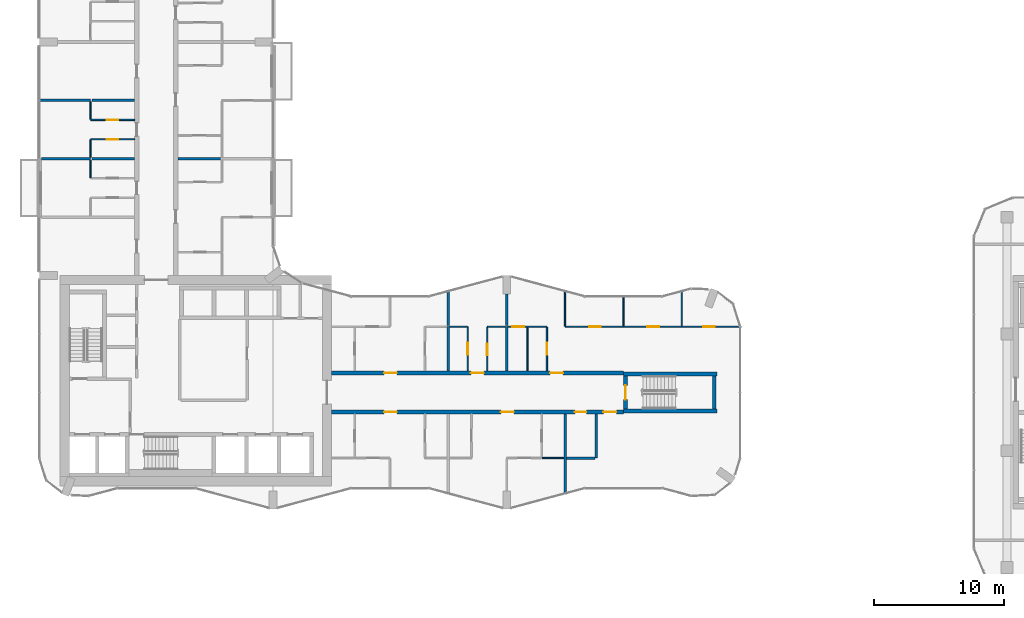
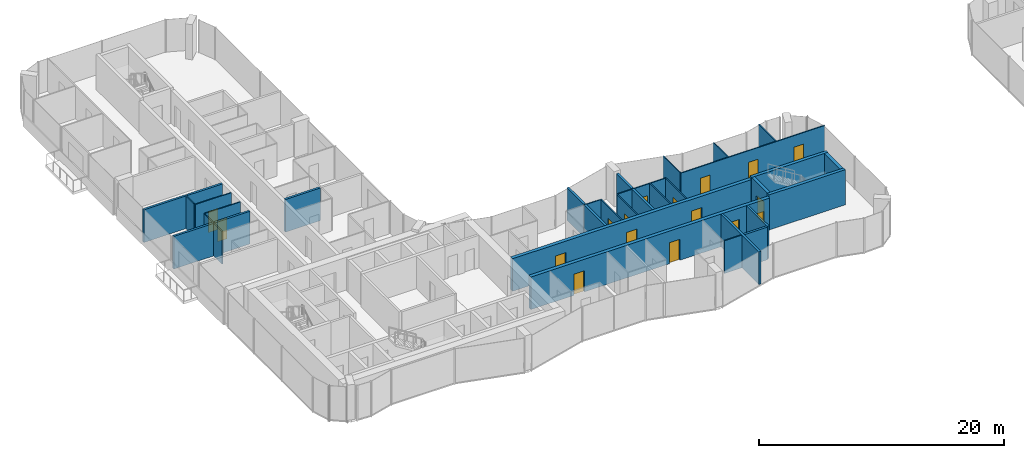
# One storey, part 15 of 23: 35 walls, 17 doors, 17 openings.
"""IFC4 building model written with IfcOpenShell, lengths in metres."""

from ifc_helpers import new_model, si_unit, direction, frame, frame_2d, origin, place, context, subcontext, project, spatial, rectangle, extrude, material, layer, layer_set, type_object, element, fill, save


model = new_model("IFC4")

# Units and contexts
model_context = context("Model", 3, precision=1e-05, world=origin(), true_north=direction((0.0, 1.0)))
body_context = subcontext(model_context, "Body", "Model", "MODEL_VIEW")
ifc_project = project(units=[si_unit("LENGTHUNIT", "METRE"), si_unit("AREAUNIT", "SQUARE_METRE"), si_unit("VOLUMEUNIT", "CUBIC_METRE"), si_unit("PLANEANGLEUNIT", "RADIAN"), si_unit("MASSUNIT", "GRAM", prefix="KILO")], contexts=[model_context])

# Site, building, storey
site_placement = place(None, origin())
site = spatial("IfcSite", under=ifc_project, at=site_placement, CompositionType="ELEMENT")
building_placement = place(site_placement, origin())
building = spatial("IfcBuilding", under=site, at=building_placement, Name="Plateau Cross Towers", CompositionType="ELEMENT")
storey_placement = place(building_placement, frame((0.0, 0.0, 81.800048828125)))
storey = spatial("IfcBuildingStorey", under=building, at=storey_placement, Name="L20", CompositionType="ELEMENT", Elevation=81.800048828125)

# Wall, openings, doors
ifc_material_1 = material(Name="Concrete C60/75", Category="concrete")
ifc_layer_1 = layer(ifc_material_1, 0.324951171875)
ifc_layer_set_1 = layer_set([ifc_layer_1], Name="Concrete C60/75")
wall_type_1 = type_object("IfcWallType", Name="Corridor wall 325", PredefinedType="SHEAR", material=ifc_layer_set_1)
wall_1_placement = place(storey_placement, frame((22.5, 7.5, 0.0), z_axis=(0.0, 0.0, 1.0), x_axis=(1.0, 0.0, 0.0)))
wall_1 = element("IfcWall", 1, at=wall_1_placement, inside=storey, type_object=wall_type_1, Name="A-cw-S1@L20", PredefinedType="SHEAR", context=body_context, shape_type="SweptSolid", body=[
    extrude(rectangle(XDim=22.5, YDim=0.324951171875, at=frame_2d((11.25, 0.0))), origin(), (0.0, 0.0, 1.0), 3.25),
])
opening_1_placement = place(wall_1_placement, frame((4.050048828125, 0.0, 0.0)))
opening_1 = element("IfcOpeningElement", 2, at=opening_1_placement, cuts=wall_1, Name="Opening 20-01", PredefinedType="OPENING", context=body_context, shape_type="SweptSolid", body=[
    extrude(rectangle(XDim=1.0, YDim=2.10009765625, at=frame_2d((0.5, 1.050048828125))), frame((0.0, 0.17236328125, 0.0), z_axis=(0.0, -1.0, 0.0), x_axis=(1.0, 0.0, 0.0)), (0.0, 0.0, 1.0), 0.344970703125),
])
opening_2_placement = place(wall_1_placement, frame((13.050048828125, 0.0, 0.0)))
opening_2 = element("IfcOpeningElement", 3, at=opening_2_placement, cuts=wall_1, Name="Opening 20-02", PredefinedType="OPENING", context=body_context, shape_type="SweptSolid", body=[
    extrude(rectangle(XDim=1.0, YDim=2.10009765625, at=frame_2d((0.5, 1.050048828125))), frame((0.0, 0.17236328125, 0.0), z_axis=(0.0, -1.0, 0.0), x_axis=(1.0, 0.0, 0.0)), (0.0, 0.0, 1.0), 0.344970703125),
])
opening_3_placement = place(wall_1_placement, frame((18.75, 0.0, 0.0)))
opening_3 = element("IfcOpeningElement", 4, at=opening_3_placement, cuts=wall_1, Name="Opening 20-03", PredefinedType="OPENING", context=body_context, shape_type="SweptSolid", body=[
    extrude(rectangle(XDim=0.89990234375, YDim=2.10009765625, at=frame_2d((0.449951171875, 1.050048828125))), frame((0.0, 0.17236328125, 0.0), z_axis=(0.0, -1.0, 0.0), x_axis=(1.0, 0.0, 0.0)), (0.0, 0.0, 1.0), 0.344970703125),
])
opening_4_placement = place(wall_1_placement, frame((20.949951171875, 0.0, 0.0)))
opening_4 = element("IfcOpeningElement", 5, at=opening_4_placement, cuts=wall_1, Name="Opening 20-04", PredefinedType="OPENING", context=body_context, shape_type="SweptSolid", body=[
    extrude(rectangle(XDim=1.0, YDim=2.10009765625, at=frame_2d((0.5, 1.050048828125))), frame((0.0, 0.17236328125, 0.0), z_axis=(0.0, -1.0, 0.0), x_axis=(1.0, 0.0, 0.0)), (0.0, 0.0, 1.0), 0.344970703125),
])
ifc_material_2 = material(Name="Timber, fire-resisting leaf", Category="wood")
door_type_1 = type_object("IfcDoorType", Name="Flat entrance door 1000", OperationType="NOTDEFINED", PredefinedType="DOOR", material=ifc_material_2)
door_1_placement = place(opening_1_placement, origin())
door_1 = element("IfcDoor", 6, at=door_1_placement, inside=storey, type_object=door_type_1, Name="Door 20-01", OperationType="SINGLE_SWING_LEFT", OverallHeight=2.10009765625, OverallWidth=1.0, PredefinedType="DOOR", context=body_context, shape_type="SweptSolid", body=[
    extrude(rectangle(XDim=1.0, YDim=2.10009765625, at=frame_2d((0.5, 1.050048828125))), frame((0.0, 0.02490234375, 0.0), z_axis=(0.0, -1.0, 0.0), x_axis=(1.0, 0.0, 0.0)), (0.0, 0.0, 1.0), 0.050048828125),
])
fill(opening_1, door_1)
door_2_placement = place(opening_2_placement, origin())
door_2 = element("IfcDoor", 7, at=door_2_placement, inside=storey, type_object=door_type_1, Name="Door 20-02", OperationType="SINGLE_SWING_RIGHT", OverallHeight=2.10009765625, OverallWidth=1.0, PredefinedType="DOOR", context=body_context, shape_type="SweptSolid", body=[
    extrude(rectangle(XDim=1.0, YDim=2.10009765625, at=frame_2d((0.5, 1.050048828125))), frame((0.0, 0.02490234375, 0.0), z_axis=(0.0, -1.0, 0.0), x_axis=(1.0, 0.0, 0.0)), (0.0, 0.0, 1.0), 0.050048828125),
])
fill(opening_2, door_2)
door_3_placement = place(opening_4_placement, origin())
door_3 = element("IfcDoor", 8, at=door_3_placement, inside=storey, type_object=door_type_1, Name="Door 20-04", OperationType="SINGLE_SWING_RIGHT", OverallHeight=2.10009765625, OverallWidth=1.0, PredefinedType="DOOR", context=body_context, shape_type="SweptSolid", body=[
    extrude(rectangle(XDim=1.0, YDim=2.10009765625, at=frame_2d((0.5, 1.050048828125))), frame((0.0, 0.02490234375, 0.0), z_axis=(0.0, -1.0, 0.0), x_axis=(1.0, 0.0, 0.0)), (0.0, 0.0, 1.0), 0.050048828125),
])
fill(opening_4, door_3)
door_type_2 = type_object("IfcDoorType", Name="Flat floor service door 900", OperationType="NOTDEFINED", PredefinedType="DOOR", material=ifc_material_2)
door_4_placement = place(opening_3_placement, origin())
door_4 = element("IfcDoor", 9, at=door_4_placement, inside=storey, type_object=door_type_2, Name="Door 20-03", OperationType="SINGLE_SWING_RIGHT", OverallHeight=2.10009765625, OverallWidth=0.89990234375, PredefinedType="DOOR", context=body_context, shape_type="SweptSolid", body=[
    extrude(rectangle(XDim=0.89990234375, YDim=2.10009765625, at=frame_2d((0.449951171875, 1.050048828125))), frame((0.0, 0.02490234375, 0.0), z_axis=(0.0, -1.0, 0.0), x_axis=(1.0, 0.0, 0.0)), (0.0, 0.0, 1.0), 0.050048828125),
])
fill(opening_3, door_4)

wall_2_placement = place(storey_placement, frame((22.5, 10.5, 0.0), z_axis=(0.0, 0.0, 1.0), x_axis=(1.0, 0.0, 0.0)))
wall_2 = element("IfcWall", 10, at=wall_2_placement, inside=storey, type_object=wall_type_1, Name="A-cw-S2@L20", PredefinedType="SHEAR", context=body_context, shape_type="SweptSolid", body=[
    extrude(rectangle(XDim=22.5, YDim=0.324951171875, at=frame_2d((11.25, 0.0))), origin(), (0.0, 0.0, 1.0), 3.25),
])
opening_5_placement = place(wall_2_placement, frame((4.050048828125, 0.0, 0.0)))
opening_5 = element("IfcOpeningElement", 11, at=opening_5_placement, cuts=wall_2, Name="Opening 20-05", PredefinedType="OPENING", context=body_context, shape_type="SweptSolid", body=[
    extrude(rectangle(XDim=1.0, YDim=2.10009765625, at=frame_2d((0.5, 1.050048828125))), frame((0.0, 0.17236328125, 0.0), z_axis=(0.0, -1.0, 0.0), x_axis=(1.0, 0.0, 0.0)), (0.0, 0.0, 1.0), 0.344970703125),
])
opening_6_placement = place(wall_2_placement, frame((10.75, 0.0, 0.0)))
opening_6 = element("IfcOpeningElement", 12, at=opening_6_placement, cuts=wall_2, Name="Opening 20-06", PredefinedType="OPENING", context=body_context, shape_type="SweptSolid", body=[
    extrude(rectangle(XDim=1.0, YDim=2.10009765625, at=frame_2d((0.5, 1.050048828125))), frame((0.0, 0.17236328125, 0.0), z_axis=(0.0, -1.0, 0.0), x_axis=(1.0, 0.0, 0.0)), (0.0, 0.0, 1.0), 0.344970703125),
])
opening_7_placement = place(wall_2_placement, frame((16.85009765625, 0.0, 0.0)))
opening_7 = element("IfcOpeningElement", 13, at=opening_7_placement, cuts=wall_2, Name="Opening 20-07", PredefinedType="OPENING", context=body_context, shape_type="SweptSolid", body=[
    extrude(rectangle(XDim=1.0, YDim=2.10009765625, at=frame_2d((0.5, 1.050048828125))), frame((0.0, 0.17236328125, 0.0), z_axis=(0.0, -1.0, 0.0), x_axis=(1.0, 0.0, 0.0)), (0.0, 0.0, 1.0), 0.344970703125),
])
door_5_placement = place(opening_5_placement, origin())
door_5 = element("IfcDoor", 14, at=door_5_placement, inside=storey, type_object=door_type_1, Name="Door 20-05", OperationType="SINGLE_SWING_LEFT", OverallHeight=2.10009765625, OverallWidth=1.0, PredefinedType="DOOR", context=body_context, shape_type="SweptSolid", body=[
    extrude(rectangle(XDim=1.0, YDim=2.10009765625, at=frame_2d((0.5, 1.050048828125))), frame((0.0, 0.02490234375, 0.0), z_axis=(0.0, -1.0, 0.0), x_axis=(1.0, 0.0, 0.0)), (0.0, 0.0, 1.0), 0.050048828125),
])
fill(opening_5, door_5)
door_6_placement = place(opening_6_placement, origin())
door_6 = element("IfcDoor", 15, at=door_6_placement, inside=storey, type_object=door_type_1, Name="Door 20-06", OperationType="SINGLE_SWING_LEFT", OverallHeight=2.10009765625, OverallWidth=1.0, PredefinedType="DOOR", context=body_context, shape_type="SweptSolid", body=[
    extrude(rectangle(XDim=1.0, YDim=2.10009765625, at=frame_2d((0.5, 1.050048828125))), frame((0.0, 0.02490234375, 0.0), z_axis=(0.0, -1.0, 0.0), x_axis=(1.0, 0.0, 0.0)), (0.0, 0.0, 1.0), 0.050048828125),
])
fill(opening_6, door_6)
door_7_placement = place(opening_7_placement, origin())
door_7 = element("IfcDoor", 16, at=door_7_placement, inside=storey, type_object=door_type_1, Name="Door 20-07", OperationType="SINGLE_SWING_RIGHT", OverallHeight=2.10009765625, OverallWidth=1.0, PredefinedType="DOOR", context=body_context, shape_type="SweptSolid", body=[
    extrude(rectangle(XDim=1.0, YDim=2.10009765625, at=frame_2d((0.5, 1.050048828125))), frame((0.0, 0.02490234375, 0.0), z_axis=(0.0, -1.0, 0.0), x_axis=(1.0, 0.0, 0.0)), (0.0, 0.0, 1.0), 0.050048828125),
])
fill(opening_7, door_7)

# Walls
ifc_material_3 = material(Name="Gypsum board on steel studs", Category="steel")
ifc_layer_2 = layer(ifc_material_3, 0.10009765625)
ifc_layer_set_2 = layer_set([ifc_layer_2], Name="Gypsum board on steel studs")
wall_type_2 = type_object("IfcWallType", Name="Flat partition 100", PredefinedType="PARTITIONING", material=ifc_layer_set_2)
wall_3_placement = place(storey_placement, frame((38.75, 3.9375, 0.0), z_axis=(0.0, 0.0, 1.0), x_axis=(1.0, 0.0, 0.0)))
element("IfcWall", 17, at=wall_3_placement, inside=storey, type_object=wall_type_2, Name="Partition wall", PredefinedType="PARTITIONING", context=body_context, shape_type="SweptSolid", body=[
    extrude(rectangle(XDim=1.64990234375, YDim=0.10009765625, at=frame_2d((0.824951171875, 0.0))), origin(), (0.0, 0.0, 1.0), 3.25),
])
wall_4_placement = place(storey_placement, frame((32.949951171875, 14.0625, 0.0), z_axis=(0.0, 0.0, 1.0), x_axis=(-1.0, 0.0, 0.0)))
element("IfcWall", 18, at=wall_4_placement, inside=storey, type_object=wall_type_2, Name="Partition wall", PredefinedType="PARTITIONING", context=body_context, shape_type="SweptSolid", body=[
    extrude(rectangle(XDim=1.349853515625, YDim=0.10009765625, at=frame_2d((0.6748046875, 0.0))), origin(), (0.0, 0.0, 1.0), 3.25),
])
wall_5_placement = place(storey_placement, frame((35.89990234375, 14.0625, 0.0), z_axis=(0.0, 0.0, 1.0), x_axis=(-1.0, 0.0, 0.0)))
element("IfcWall", 19, at=wall_5_placement, inside=storey, type_object=wall_type_2, Name="Partition wall", PredefinedType="PARTITIONING", context=body_context, shape_type="SweptSolid", body=[
    extrude(rectangle(XDim=1.39990234375, YDim=0.10009765625, at=frame_2d((0.699951171875, 0.0))), origin(), (0.0, 0.0, 1.0), 3.25),
])

# Wall, opening, door
wall_6_placement = place(storey_placement, frame((39.10009765625, 14.0625, 0.0), z_axis=(0.0, 0.0, 1.0), x_axis=(-1.0, 0.0, 0.0)))
wall_6 = element("IfcWall", 20, at=wall_6_placement, inside=storey, type_object=wall_type_2, Name="Partition wall", PredefinedType="PARTITIONING", context=body_context, shape_type="SweptSolid", body=[
    extrude(rectangle(XDim=3.0, YDim=0.10009765625, at=frame_2d((1.5, 0.0))), origin(), (0.0, 0.0, 1.0), 3.25),
])
opening_8_placement = place(wall_6_placement, frame((1.75, 0.0, 0.0)))
opening_8 = element("IfcOpeningElement", 21, at=opening_8_placement, cuts=wall_6, Name="Opening 20-29", PredefinedType="OPENING", context=body_context, shape_type="SweptSolid", body=[
    extrude(rectangle(XDim=0.89990234375, YDim=2.10009765625, at=frame_2d((0.449951171875, 1.050048828125))), frame((0.0, 0.06005859375, 0.0), z_axis=(0.0, -1.0, 0.0), x_axis=(1.0, 0.0, 0.0)), (0.0, 0.0, 1.0), 0.1201171875),
])
ifc_material_4 = material(Name="Timber leaf", Category="wood")
door_type_3 = type_object("IfcDoorType", Name="Flat room door 900", OperationType="NOTDEFINED", PredefinedType="DOOR", material=ifc_material_4)
door_8_placement = place(opening_8_placement, origin())
door_8 = element("IfcDoor", 22, at=door_8_placement, inside=storey, type_object=door_type_3, Name="Door 20-29", OperationType="SINGLE_SWING_RIGHT", OverallHeight=2.10009765625, OverallWidth=0.89990234375, PredefinedType="DOOR", context=body_context, shape_type="SweptSolid", body=[
    extrude(rectangle(XDim=0.89990234375, YDim=2.10009765625, at=frame_2d((0.449951171875, 1.050048828125))), frame((0.0, 0.02490234375, 0.0), z_axis=(0.0, -1.0, 0.0), x_axis=(1.0, 0.0, 0.0)), (0.0, 0.0, 1.0), 0.050048828125),
])
fill(opening_8, door_8)

# Wall, openings, doors
wall_7_placement = place(storey_placement, frame((40.5, 14.0625, 0.0), z_axis=(0.0, 0.0, 1.0), x_axis=(1.0, 0.0, 0.0)))
wall_7 = element("IfcWall", 23, at=wall_7_placement, inside=storey, type_object=wall_type_2, Name="Partition wall", PredefinedType="PARTITIONING", context=body_context, shape_type="SweptSolid", body=[
    extrude(rectangle(XDim=13.580078125, YDim=0.10009765625, at=frame_2d((6.7900390625, 0.0))), origin(), (0.0, 0.0, 1.0), 3.25),
])
opening_9_placement = place(wall_7_placement, frame((1.85009765625, 0.0, 0.0)))
opening_9 = element("IfcOpeningElement", 24, at=opening_9_placement, cuts=wall_7, Name="Opening 20-31", PredefinedType="OPENING", context=body_context, shape_type="SweptSolid", body=[
    extrude(rectangle(XDim=0.89990234375, YDim=2.10009765625, at=frame_2d((0.449951171875, 1.050048828125))), frame((0.0, 0.06005859375, 0.0), z_axis=(0.0, -1.0, 0.0), x_axis=(1.0, 0.0, 0.0)), (0.0, 0.0, 1.0), 0.1201171875),
])
opening_10_placement = place(wall_7_placement, frame((6.35009765625, 0.0, 0.0)))
opening_10 = element("IfcOpeningElement", 25, at=opening_10_placement, cuts=wall_7, Name="Opening 20-32", PredefinedType="OPENING", context=body_context, shape_type="SweptSolid", body=[
    extrude(rectangle(XDim=0.89990234375, YDim=2.10009765625, at=frame_2d((0.449951171875, 1.050048828125))), frame((0.0, 0.06005859375, 0.0), z_axis=(0.0, -1.0, 0.0), x_axis=(1.0, 0.0, 0.0)), (0.0, 0.0, 1.0), 0.1201171875),
])
opening_11_placement = place(wall_7_placement, frame((10.64990234375, 0.0, 0.0)))
opening_11 = element("IfcOpeningElement", 26, at=opening_11_placement, cuts=wall_7, Name="Opening 20-33", PredefinedType="OPENING", context=body_context, shape_type="SweptSolid", body=[
    extrude(rectangle(XDim=0.89990234375, YDim=2.10009765625, at=frame_2d((0.449951171875, 1.050048828125))), frame((0.0, 0.06005859375, 0.0), z_axis=(0.0, -1.0, 0.0), x_axis=(1.0, 0.0, 0.0)), (0.0, 0.0, 1.0), 0.1201171875),
])
door_9_placement = place(opening_9_placement, origin())
door_9 = element("IfcDoor", 27, at=door_9_placement, inside=storey, type_object=door_type_3, Name="Door 20-31", OperationType="SINGLE_SWING_LEFT", OverallHeight=2.10009765625, OverallWidth=0.89990234375, PredefinedType="DOOR", context=body_context, shape_type="SweptSolid", body=[
    extrude(rectangle(XDim=0.89990234375, YDim=2.10009765625, at=frame_2d((0.449951171875, 1.050048828125))), frame((0.0, 0.02490234375, 0.0), z_axis=(0.0, -1.0, 0.0), x_axis=(1.0, 0.0, 0.0)), (0.0, 0.0, 1.0), 0.050048828125),
])
fill(opening_9, door_9)
door_10_placement = place(opening_10_placement, origin())
door_10 = element("IfcDoor", 28, at=door_10_placement, inside=storey, type_object=door_type_3, Name="Door 20-32", OperationType="SINGLE_SWING_RIGHT", OverallHeight=2.10009765625, OverallWidth=0.89990234375, PredefinedType="DOOR", context=body_context, shape_type="SweptSolid", body=[
    extrude(rectangle(XDim=0.89990234375, YDim=2.10009765625, at=frame_2d((0.449951171875, 1.050048828125))), frame((0.0, 0.02490234375, 0.0), z_axis=(0.0, -1.0, 0.0), x_axis=(1.0, 0.0, 0.0)), (0.0, 0.0, 1.0), 0.050048828125),
])
fill(opening_10, door_10)
door_11_placement = place(opening_11_placement, origin())
door_11 = element("IfcDoor", 29, at=door_11_placement, inside=storey, type_object=door_type_3, Name="Door 20-33", OperationType="SINGLE_SWING_RIGHT", OverallHeight=2.10009765625, OverallWidth=0.89990234375, PredefinedType="DOOR", context=body_context, shape_type="SweptSolid", body=[
    extrude(rectangle(XDim=0.89990234375, YDim=2.10009765625, at=frame_2d((0.449951171875, 1.050048828125))), frame((0.0, 0.02490234375, 0.0), z_axis=(0.0, -1.0, 0.0), x_axis=(1.0, 0.0, 0.0)), (0.0, 0.0, 1.0), 0.050048828125),
])
fill(opening_11, door_11)

# Wall, opening, door
wall_8_placement = place(storey_placement, frame((7.33740234375, 28.5, 0.0), z_axis=(0.0, 0.0, 1.0), x_axis=(-1.0, 0.0, 0.0)))
wall_8 = element("IfcWall", 30, at=wall_8_placement, inside=storey, type_object=wall_type_2, Name="Partition wall", PredefinedType="PARTITIONING", context=body_context, shape_type="SweptSolid", body=[
    extrude(rectangle(XDim=3.39990234375, YDim=0.10009765625, at=frame_2d((1.699951171875, 0.0))), origin(), (0.0, 0.0, 1.0), 3.25),
])
opening_12_placement = place(wall_8_placement, frame((1.25, 0.0, 0.0)))
opening_12 = element("IfcOpeningElement", 31, at=opening_12_placement, cuts=wall_8, Name="Opening 20-36", PredefinedType="OPENING", context=body_context, shape_type="SweptSolid", body=[
    extrude(rectangle(XDim=0.89990234375, YDim=2.10009765625, at=frame_2d((0.449951171875, 1.050048828125))), frame((0.0, 0.06005859375, 0.0), z_axis=(0.0, -1.0, 0.0), x_axis=(1.0, 0.0, 0.0)), (0.0, 0.0, 1.0), 0.1201171875),
])
door_12_placement = place(opening_12_placement, origin())
door_12 = element("IfcDoor", 32, at=door_12_placement, inside=storey, type_object=door_type_3, Name="Door 20-36", OperationType="SINGLE_SWING_LEFT", OverallHeight=2.10009765625, OverallWidth=0.89990234375, PredefinedType="DOOR", context=body_context, shape_type="SweptSolid", body=[
    extrude(rectangle(XDim=0.89990234375, YDim=2.10009765625, at=frame_2d((0.449951171875, 1.050048828125))), frame((0.0, 0.02490234375, 0.0), z_axis=(0.0, -1.0, 0.0), x_axis=(1.0, 0.0, 0.0)), (0.0, 0.0, 1.0), 0.050048828125),
])
fill(opening_12, door_12)

wall_9_placement = place(storey_placement, frame((3.9375, 30.0, 0.0), z_axis=(0.0, 0.0, 1.0), x_axis=(1.0, 0.0, 0.0)))
wall_9 = element("IfcWall", 33, at=wall_9_placement, inside=storey, type_object=wall_type_2, Name="Partition wall", PredefinedType="PARTITIONING", context=body_context, shape_type="SweptSolid", body=[
    extrude(rectangle(XDim=3.39990234375, YDim=0.10009765625, at=frame_2d((1.699951171875, 0.0))), origin(), (0.0, 0.0, 1.0), 3.25),
])
opening_13_placement = place(wall_9_placement, frame((1.25, 0.0, 0.0)))
opening_13 = element("IfcOpeningElement", 34, at=opening_13_placement, cuts=wall_9, Name="Opening 20-37", PredefinedType="OPENING", context=body_context, shape_type="SweptSolid", body=[
    extrude(rectangle(XDim=0.89990234375, YDim=2.10009765625, at=frame_2d((0.449951171875, 1.050048828125))), frame((0.0, 0.06005859375, 0.0), z_axis=(0.0, -1.0, 0.0), x_axis=(1.0, 0.0, 0.0)), (0.0, 0.0, 1.0), 0.1201171875),
])
door_13_placement = place(opening_13_placement, origin())
door_13 = element("IfcDoor", 35, at=door_13_placement, inside=storey, type_object=door_type_3, Name="Door 20-37", OperationType="SINGLE_SWING_LEFT", OverallHeight=2.10009765625, OverallWidth=0.89990234375, PredefinedType="DOOR", context=body_context, shape_type="SweptSolid", body=[
    extrude(rectangle(XDim=0.89990234375, YDim=2.10009765625, at=frame_2d((0.449951171875, 1.050048828125))), frame((0.0, 0.02490234375, 0.0), z_axis=(0.0, -1.0, 0.0), x_axis=(1.0, 0.0, 0.0)), (0.0, 0.0, 1.0), 0.050048828125),
])
fill(opening_13, door_13)

# Walls
for number, where, z_axis, x_axis, name in (
    (36, (3.9375, 26.89990234375, 0.0), (0.0, 0.0, 1.0), (0.0, -1.0, 0.0), "Partition wall"),
    (37, (3.9375, 28.449951171875, 0.0), (0.0, 0.0, 1.0), (0.0, -1.0, 0.0), "Partition wall"),
    (38, (3.9375, 31.39990234375, 0.0), (0.0, 0.0, 1.0), (0.0, -1.0, 0.0), "Partition wall"),
):
    element("IfcWall", number, at=place(storey_placement, frame(where, z_axis=z_axis, x_axis=x_axis)), inside=storey, type_object=wall_type_2, Name=name, PredefinedType="PARTITIONING", context=body_context, shape_type="SweptSolid", body=[
        extrude(rectangle(XDim=1.349853515625, YDim=0.10009765625, at=frame_2d((0.6748046875, 0.0))), origin(), (0.0, 0.0, 1.0), 3.25),
    ])

# Wall, opening, door
wall_10_placement = place(storey_placement, frame((33.0, 10.66259765625, 0.0), z_axis=(0.0, 0.0, 1.0), x_axis=(0.0, 1.0, 0.0)))
wall_10 = element("IfcWall", 39, at=wall_10_placement, inside=storey, type_object=wall_type_2, Name="Partition wall", PredefinedType="PARTITIONING", context=body_context, shape_type="SweptSolid", body=[
    extrude(rectangle(XDim=3.39990234375, YDim=0.10009765625, at=frame_2d((1.699951171875, 0.0))), origin(), (0.0, 0.0, 1.0), 3.25),
])
opening_14_placement = place(wall_10_placement, frame((1.25, 0.0, 0.0)))
opening_14 = element("IfcOpeningElement", 40, at=opening_14_placement, cuts=wall_10, Name="Opening 20-27", PredefinedType="OPENING", context=body_context, shape_type="SweptSolid", body=[
    extrude(rectangle(XDim=0.89990234375, YDim=2.10009765625, at=frame_2d((0.449951171875, 1.050048828125))), frame((0.0, 0.06005859375, 0.0), z_axis=(0.0, -1.0, 0.0), x_axis=(1.0, 0.0, 0.0)), (0.0, 0.0, 1.0), 0.1201171875),
])
door_14_placement = place(opening_14_placement, origin())
door_14 = element("IfcDoor", 41, at=door_14_placement, inside=storey, type_object=door_type_3, Name="Door 20-27", OperationType="SINGLE_SWING_LEFT", OverallHeight=2.10009765625, OverallWidth=0.89990234375, PredefinedType="DOOR", context=body_context, shape_type="SweptSolid", body=[
    extrude(rectangle(XDim=0.89990234375, YDim=2.10009765625, at=frame_2d((0.449951171875, 1.050048828125))), frame((0.0, 0.02490234375, 0.0), z_axis=(0.0, -1.0, 0.0), x_axis=(1.0, 0.0, 0.0)), (0.0, 0.0, 1.0), 0.050048828125),
])
fill(opening_14, door_14)

wall_11_placement = place(storey_placement, frame((34.5, 14.012451171875, 0.0), z_axis=(0.0, 0.0, 1.0), x_axis=(0.0, -1.0, 0.0)))
wall_11 = element("IfcWall", 42, at=wall_11_placement, inside=storey, type_object=wall_type_2, Name="Partition wall", PredefinedType="PARTITIONING", context=body_context, shape_type="SweptSolid", body=[
    extrude(rectangle(XDim=3.349853515625, YDim=0.10009765625, at=frame_2d((1.6748046875, 0.0))), origin(), (0.0, 0.0, 1.0), 3.25),
])
opening_15_placement = place(wall_11_placement, frame((1.25, 0.0, 0.0)))
opening_15 = element("IfcOpeningElement", 43, at=opening_15_placement, cuts=wall_11, Name="Opening 20-28", PredefinedType="OPENING", context=body_context, shape_type="SweptSolid", body=[
    extrude(rectangle(XDim=0.89990234375, YDim=2.10009765625, at=frame_2d((0.449951171875, 1.050048828125))), frame((0.0, 0.06005859375, 0.0), z_axis=(0.0, -1.0, 0.0), x_axis=(1.0, 0.0, 0.0)), (0.0, 0.0, 1.0), 0.1201171875),
])
door_15_placement = place(opening_15_placement, origin())
door_15 = element("IfcDoor", 44, at=door_15_placement, inside=storey, type_object=door_type_3, Name="Door 20-28", OperationType="SINGLE_SWING_RIGHT", OverallHeight=2.10009765625, OverallWidth=0.89990234375, PredefinedType="DOOR", context=body_context, shape_type="SweptSolid", body=[
    extrude(rectangle(XDim=0.89990234375, YDim=2.10009765625, at=frame_2d((0.449951171875, 1.050048828125))), frame((0.0, 0.02490234375, 0.0), z_axis=(0.0, -1.0, 0.0), x_axis=(1.0, 0.0, 0.0)), (0.0, 0.0, 1.0), 0.050048828125),
])
fill(opening_15, door_15)

# Wall
wall_12_placement = place(storey_placement, frame((37.60009765625, 10.66259765625, 0.0), z_axis=(0.0, 0.0, 1.0), x_axis=(0.0, 1.0, 0.0)))
element("IfcWall", 45, at=wall_12_placement, inside=storey, type_object=wall_type_2, Name="Partition wall", PredefinedType="PARTITIONING", context=body_context, shape_type="SweptSolid", body=[
    extrude(rectangle(XDim=3.349853515625, YDim=0.10009765625, at=frame_2d((1.6748046875, 0.0))), origin(), (0.0, 0.0, 1.0), 3.25),
])

# Wall, opening, door
wall_13_placement = place(storey_placement, frame((39.10009765625, 10.66259765625, 0.0), z_axis=(0.0, 0.0, 1.0), x_axis=(0.0, 1.0, 0.0)))
wall_13 = element("IfcWall", 46, at=wall_13_placement, inside=storey, type_object=wall_type_2, Name="Partition wall", PredefinedType="PARTITIONING", context=body_context, shape_type="SweptSolid", body=[
    extrude(rectangle(XDim=3.349853515625, YDim=0.10009765625, at=frame_2d((1.6748046875, 0.0))), origin(), (0.0, 0.0, 1.0), 3.25),
])
opening_16_placement = place(wall_13_placement, frame((1.25, 0.0, 0.0)))
opening_16 = element("IfcOpeningElement", 47, at=opening_16_placement, cuts=wall_13, Name="Opening 20-30", PredefinedType="OPENING", context=body_context, shape_type="SweptSolid", body=[
    extrude(rectangle(XDim=0.89990234375, YDim=2.10009765625, at=frame_2d((0.449951171875, 1.050048828125))), frame((0.0, 0.06005859375, 0.0), z_axis=(0.0, -1.0, 0.0), x_axis=(1.0, 0.0, 0.0)), (0.0, 0.0, 1.0), 0.1201171875),
])
door_16_placement = place(opening_16_placement, origin())
door_16 = element("IfcDoor", 48, at=door_16_placement, inside=storey, type_object=door_type_3, Name="Door 20-30", OperationType="SINGLE_SWING_RIGHT", OverallHeight=2.10009765625, OverallWidth=0.89990234375, PredefinedType="DOOR", context=body_context, shape_type="SweptSolid", body=[
    extrude(rectangle(XDim=0.89990234375, YDim=2.10009765625, at=frame_2d((0.449951171875, 1.050048828125))), frame((0.0, 0.02490234375, 0.0), z_axis=(0.0, -1.0, 0.0), x_axis=(1.0, 0.0, 0.0)), (0.0, 0.0, 1.0), 0.050048828125),
])
fill(opening_16, door_16)

# Walls
wall_14_placement = place(storey_placement, frame((40.5, 16.877685546875, 0.0), z_axis=(0.0, 0.0, 1.0), x_axis=(0.0, -1.0, 0.0)))
element("IfcWall", 49, at=wall_14_placement, inside=storey, type_object=wall_type_2, Name="Partition wall", PredefinedType="PARTITIONING", context=body_context, shape_type="SweptSolid", body=[
    extrude(rectangle(XDim=2.76513671875, YDim=0.10009765625, at=frame_2d((1.382568359375, 0.0))), origin(), (0.0, 0.0, 1.0), 3.25),
])
wall_15_placement = place(storey_placement, frame((45.0, 14.112548828125, 0.0), z_axis=(0.0, 0.0, 1.0), x_axis=(0.0, 1.0, 0.0)))
element("IfcWall", 50, at=wall_15_placement, inside=storey, type_object=wall_type_2, Name="Partition wall", PredefinedType="PARTITIONING", context=body_context, shape_type="SweptSolid", body=[
    extrude(rectangle(XDim=2.360595703125, YDim=0.10009765625, at=frame_2d((1.18017578125, 0.0))), origin(), (0.0, 0.0, 1.0), 3.25),
])
wall_16_placement = place(storey_placement, frame((49.5, 14.112548828125, 0.0), z_axis=(0.0, 0.0, 1.0), x_axis=(0.0, 1.0, 0.0)))
element("IfcWall", 51, at=wall_16_placement, inside=storey, type_object=wall_type_2, Name="Partition wall", PredefinedType="PARTITIONING", context=body_context, shape_type="SweptSolid", body=[
    extrude(rectangle(XDim=2.76513671875, YDim=0.10009765625, at=frame_2d((1.382568359375, 0.0))), origin(), (0.0, 0.0, 1.0), 3.25),
])
ifc_material_5 = material(Name="Gypsum board on steel studs, two layers each side", Category="steel")
ifc_layer_3 = layer(ifc_material_5, 0.199951171875)
ifc_layer_set_3 = layer_set([ifc_layer_3], Name="Gypsum board on steel studs, two layers each side")
wall_type_3 = type_object("IfcWallType", Name="Flat party wall 200", PredefinedType="PARTITIONING", material=ifc_layer_set_3)
wall_17_placement = place(storey_placement, frame((40.60009765625, 3.9375, 0.0), z_axis=(0.0, 0.0, 1.0), x_axis=(1.0, 0.0, 0.0)))
element("IfcWall", 52, at=wall_17_placement, inside=storey, type_object=wall_type_3, Name="Party wall", PredefinedType="PARTITIONING", context=body_context, shape_type="SweptSolid", body=[
    extrude(rectangle(XDim=2.199951171875, YDim=0.199951171875, at=frame_2d((1.10009765625, 0.0))), origin(), (0.0, 0.0, 1.0), 3.25),
])
for number, where, z_axis, x_axis, name in (
    (53, (7.33740234375, 27.0, 0.0), (0.0, 0.0, 1.0), (-1.0, 0.0, 0.0), "Party wall"),
    (54, (13.96240234375, 27.0, 0.0), (0.0, 0.0, 1.0), (-1.0, 0.0, 0.0), "Party wall"),
):
    element("IfcWall", number, at=place(storey_placement, frame(where, z_axis=z_axis, x_axis=x_axis)), inside=storey, type_object=wall_type_3, Name=name, PredefinedType="PARTITIONING", context=body_context, shape_type="SweptSolid", body=[
        extrude(rectangle(XDim=3.2998046875, YDim=0.199951171875, at=frame_2d((1.64990234375, 0.0))), origin(), (0.0, 0.0, 1.0), 3.25),
    ])
wall_18_placement = place(storey_placement, frame((0.14990234375, 27.0, 0.0), z_axis=(0.0, 0.0, 1.0), x_axis=(1.0, 0.0, 0.0)))
element("IfcWall", 55, at=wall_18_placement, inside=storey, type_object=wall_type_3, Name="Party wall", PredefinedType="PARTITIONING", context=body_context, shape_type="SweptSolid", body=[
    extrude(rectangle(XDim=3.78759765625, YDim=0.199951171875, at=frame_2d((1.893798828125, 0.0))), origin(), (0.0, 0.0, 1.0), 3.25),
])
wall_19_placement = place(storey_placement, frame((7.33740234375, 31.5, 0.0), z_axis=(0.0, 0.0, 1.0), x_axis=(-1.0, 0.0, 0.0)))
element("IfcWall", 56, at=wall_19_placement, inside=storey, type_object=wall_type_3, Name="Party wall", PredefinedType="PARTITIONING", context=body_context, shape_type="SweptSolid", body=[
    extrude(rectangle(XDim=3.2998046875, YDim=0.199951171875, at=frame_2d((1.64990234375, 0.0))), origin(), (0.0, 0.0, 1.0), 3.25),
])
wall_20_placement = place(storey_placement, frame((-0.080078125, 31.5, 0.0), z_axis=(0.0, 0.0, 1.0), x_axis=(1.0, 0.0, 0.0)))
element("IfcWall", 57, at=wall_20_placement, inside=storey, type_object=wall_type_3, Name="Party wall", PredefinedType="PARTITIONING", context=body_context, shape_type="SweptSolid", body=[
    extrude(rectangle(XDim=4.017578125, YDim=0.199951171875, at=frame_2d((2.0087890625, 0.0))), origin(), (0.0, 0.0, 1.0), 3.25),
])
wall_21_placement = place(storey_placement, frame((31.5, 16.877685546875, 0.0), z_axis=(0.0, 0.0, 1.0), x_axis=(0.0, -1.0, 0.0)))
element("IfcWall", 58, at=wall_21_placement, inside=storey, type_object=wall_type_3, Name="Party wall", PredefinedType="PARTITIONING", context=body_context, shape_type="SweptSolid", body=[
    extrude(rectangle(XDim=2.715087890625, YDim=0.199951171875, at=frame_2d((1.357421875, 0.0))), origin(), (0.0, 0.0, 1.0), 3.25),
])
wall_22_placement = place(storey_placement, frame((31.5, 10.66259765625, 0.0), z_axis=(0.0, 0.0, 1.0), x_axis=(0.0, 1.0, 0.0)))
element("IfcWall", 59, at=wall_22_placement, inside=storey, type_object=wall_type_3, Name="Party wall", PredefinedType="PARTITIONING", context=body_context, shape_type="SweptSolid", body=[
    extrude(rectangle(XDim=3.39990234375, YDim=0.199951171875, at=frame_2d((1.699951171875, 0.0))), origin(), (0.0, 0.0, 1.0), 3.25),
])
wall_23_placement = place(storey_placement, frame((36.0, 16.60009765625, 0.0), z_axis=(0.0, 0.0, 1.0), x_axis=(0.0, -1.0, 0.0)))
element("IfcWall", 60, at=wall_23_placement, inside=storey, type_object=wall_type_3, Name="Party wall", PredefinedType="PARTITIONING", context=body_context, shape_type="SweptSolid", body=[
    extrude(rectangle(XDim=2.4375, YDim=0.199951171875, at=frame_2d((1.21875, 0.0))), origin(), (0.0, 0.0, 1.0), 3.25),
])
wall_24_placement = place(storey_placement, frame((36.0, 10.66259765625, 0.0), z_axis=(0.0, 0.0, 1.0), x_axis=(0.0, 1.0, 0.0)))
element("IfcWall", 61, at=wall_24_placement, inside=storey, type_object=wall_type_3, Name="Party wall", PredefinedType="PARTITIONING", context=body_context, shape_type="SweptSolid", body=[
    extrude(rectangle(XDim=3.39990234375, YDim=0.199951171875, at=frame_2d((1.699951171875, 0.0))), origin(), (0.0, 0.0, 1.0), 3.25),
])
wall_25_placement = place(storey_placement, frame((40.5, 1.122314453125, 0.0), z_axis=(0.0, 0.0, 1.0), x_axis=(0.0, 1.0, 0.0)))
element("IfcWall", 62, at=wall_25_placement, inside=storey, type_object=wall_type_3, Name="Party wall", PredefinedType="PARTITIONING", context=body_context, shape_type="SweptSolid", body=[
    extrude(rectangle(XDim=6.215087890625, YDim=0.199951171875, at=frame_2d((3.107421875, 0.0))), origin(), (0.0, 0.0, 1.0), 3.25),
])
wall_26_placement = place(storey_placement, frame((42.89990234375, 3.9375, 0.0), z_axis=(0.0, 0.0, 1.0), x_axis=(0.0, 1.0, 0.0)))
element("IfcWall", 63, at=wall_26_placement, inside=storey, type_object=wall_type_3, Name="Party wall", PredefinedType="PARTITIONING", context=body_context, shape_type="SweptSolid", body=[
    extrude(rectangle(XDim=3.39990234375, YDim=0.199951171875, at=frame_2d((1.699951171875, 0.0))), origin(), (0.0, 0.0, 1.0), 3.25),
])

# Wall, opening, door
ifc_layer_4 = layer(ifc_material_1, 0.300048828125)
ifc_layer_set_4 = layer_set([ifc_layer_4], Name="Concrete C60/75")
wall_type_4 = type_object("IfcWallType", Name="Stair tower wall 300", PredefinedType="SHEAR", material=ifc_layer_set_4)
wall_27_placement = place(storey_placement, frame((45.14990234375, 7.72509765625, 0.0), z_axis=(0.0, 0.0, 1.0), x_axis=(0.0, 1.0, 0.0)))
wall_27 = element("IfcWall", 64, at=wall_27_placement, inside=storey, type_object=wall_type_4, Name="A-end-E-W@L20", PredefinedType="SHEAR", context=body_context, shape_type="SweptSolid", body=[
    extrude(rectangle(XDim=2.5498046875, YDim=0.300048828125, at=frame_2d((1.27490234375, 0.0))), origin(), (0.0, 0.0, 1.0), 3.5),
])
opening_17_placement = place(wall_27_placement, frame((0.72509765625, 0.0, 0.0)))
opening_17 = element("IfcOpeningElement", 65, at=opening_17_placement, cuts=wall_27, Name="Opening SD", PredefinedType="OPENING", context=body_context, shape_type="SweptSolid", body=[
    extrude(rectangle(XDim=1.10009765625, YDim=2.10009765625, at=frame_2d((0.550048828125, 1.050048828125))), frame((0.0, 0.159912109375, 0.0), z_axis=(0.0, -1.0, 0.0), x_axis=(1.0, 0.0, 0.0)), (0.0, 0.0, 1.0), 0.320068359375),
])
ifc_material_6 = material(Name="Steel, fire-resisting leaf", Category="steel")
door_type_4 = type_object("IfcDoorType", Name="Stair door 1100", OperationType="NOTDEFINED", PredefinedType="DOOR", material=ifc_material_6)
door_17_placement = place(opening_17_placement, origin())
door_17 = element("IfcDoor", 66, at=door_17_placement, inside=storey, type_object=door_type_4, Name="Stair door SD", OperationType="SINGLE_SWING_LEFT", OverallHeight=2.10009765625, OverallWidth=1.10009765625, PredefinedType="DOOR", context=body_context, shape_type="SweptSolid", body=[
    extrude(rectangle(XDim=1.10009765625, YDim=2.10009765625, at=frame_2d((0.550048828125, 1.050048828125))), frame((0.0, 0.02490234375, 0.0), z_axis=(0.0, -1.0, 0.0), x_axis=(1.0, 0.0, 0.0)), (0.0, 0.0, 1.0), 0.050048828125),
])
fill(opening_17, door_17)

# Walls
wall_28_placement = place(storey_placement, frame((52.0, 7.72509765625, 0.0), z_axis=(0.0, 0.0, 1.0), x_axis=(0.0, 1.0, 0.0)))
element("IfcWall", 67, at=wall_28_placement, inside=storey, type_object=wall_type_4, Name="A-end-E-E@L20", PredefinedType="SHEAR", context=body_context, shape_type="SweptSolid", body=[
    extrude(rectangle(XDim=2.5498046875, YDim=0.300048828125, at=frame_2d((1.27490234375, 0.0))), origin(), (0.0, 0.0, 1.0), 3.5),
])
for number, where, z_axis, x_axis, name in (
    (68, (45.0, 7.574951171875, 0.0), (0.0, 0.0, 1.0), (1.0, 0.0, 0.0), "A-end-E-S@L20"),
    (69, (45.0, 10.425048828125, 0.0), (0.0, 0.0, 1.0), (1.0, 0.0, 0.0), "A-end-E-N@L20"),
):
    element("IfcWall", number, at=place(storey_placement, frame(where, z_axis=z_axis, x_axis=x_axis)), inside=storey, type_object=wall_type_4, Name=name, PredefinedType="SHEAR", context=body_context, shape_type="SweptSolid", body=[
        extrude(rectangle(XDim=7.199951171875, YDim=0.300048828125, at=frame_2d((3.60009765625, 0.0))), origin(), (0.0, 0.0, 1.0), 3.5),
    ])

save(model, "model.ifc")
